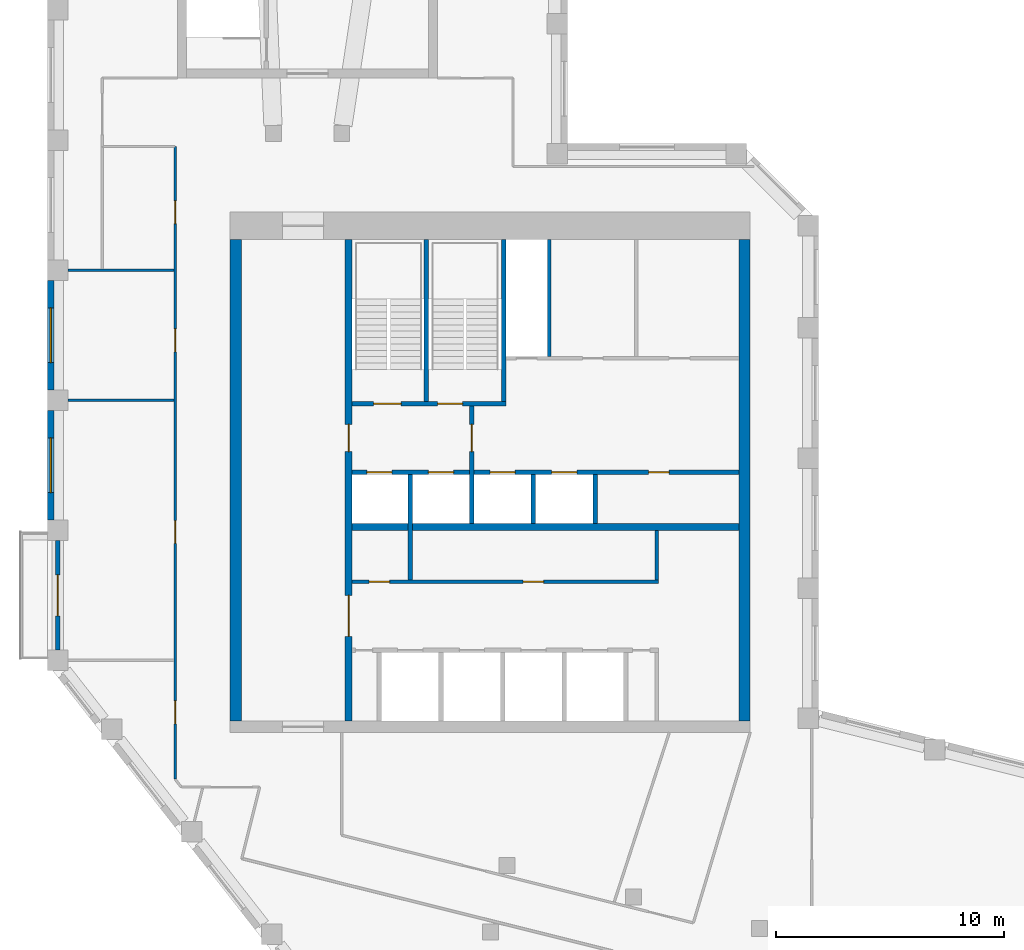
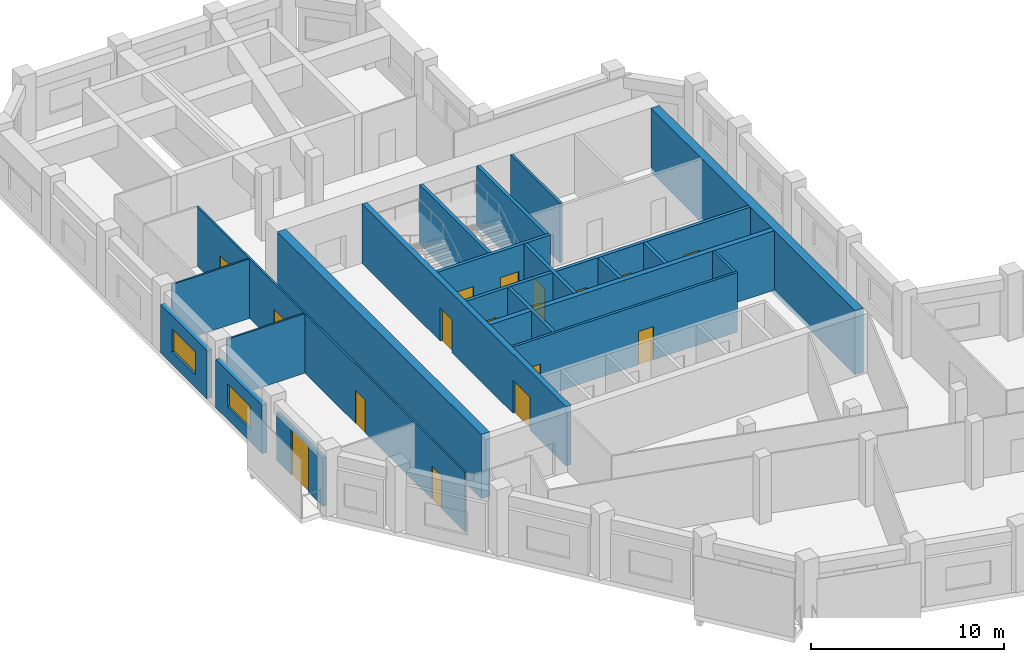
# One storey, part 5 of 8: 21 walls, 17 doors, 2 windows, 19 openings.
"""IFC4 building model written with IfcOpenShell, lengths in metres."""

from ifc_helpers import new_model, si_unit, direction, frame, frame_2d, origin, place, context, subcontext, project, spatial, rectangle, extrude, material, layer, layer_set, type_object, element, fill, save


model = new_model("IFC4")

# Units and contexts
model_context = context("Model", 3, precision=1e-05, world=origin(), true_north=direction((0.0, 1.0)))
body_context = subcontext(model_context, "Body", "Model", "MODEL_VIEW")
ifc_project = project(units=[si_unit("LENGTHUNIT", "METRE"), si_unit("AREAUNIT", "SQUARE_METRE"), si_unit("VOLUMEUNIT", "CUBIC_METRE"), si_unit("PLANEANGLEUNIT", "RADIAN"), si_unit("MASSUNIT", "GRAM", prefix="KILO")], contexts=[model_context])

# Site, building, storey
site_placement = place(None, origin())
site = spatial("IfcSite", under=ifc_project, at=site_placement, CompositionType="ELEMENT")
building_placement = place(site_placement, origin())
building = spatial("IfcBuilding", under=site, at=building_placement, Name="Meshkara Civic Tower", CompositionType="ELEMENT")
storey_placement = place(building_placement, frame((0.0, 0.0, 396.0)))
storey = spatial("IfcBuildingStorey", under=building, at=storey_placement, Name="L91", CompositionType="ELEMENT", Elevation=396.0)

# Wall, openings, doors
ifc_material_1 = material(Name="Blockwork", Category="masonry")
ifc_layer_1 = layer(ifc_material_1, 0.14990234375)
ifc_layer_set_1 = layer_set([ifc_layer_1], Name="Core partition 150")
wall_type_1 = type_object("IfcWallType", Name="Core partition 150", PredefinedType="PARTITIONING", material=ifc_layer_set_1)
wall_1_placement = place(storey_placement, frame((13.35009765625, 20.699951171875, 0.0), z_axis=(0.0, 0.0, 1.0), x_axis=(1.0, 0.0, 0.0)))
wall_1 = element("IfcWall", 1, at=wall_1_placement, inside=storey, type_object=wall_type_1, Name="L91-C006", PredefinedType="PARTITIONING", context=body_context, shape_type="SweptSolid", body=[
    extrude(rectangle(XDim=13.4248046875, YDim=0.14990234375, at=frame_2d((6.71240234375, 0.0))), origin(), (0.0, 0.0, 1.0), 3.75),
])
opening_1_placement = place(wall_1_placement, frame((0.75, 0.0, 0.0)))
opening_1 = element("IfcOpeningElement", 2, at=opening_1_placement, cuts=wall_1, Name="Opening L91-K011", PredefinedType="OPENING", context=body_context, shape_type="SweptSolid", body=[
    extrude(rectangle(XDim=0.89990234375, YDim=2.10009765625, at=frame_2d((0.449951171875, 1.050048828125))), frame((0.0, 0.0849609375, 0.0), z_axis=(0.0, -1.0, 0.0), x_axis=(1.0, 0.0, 0.0)), (0.0, 0.0, 1.0), 0.169921875),
])
opening_2_placement = place(wall_1_placement, frame((7.5, 0.0, 0.0)))
opening_2 = element("IfcOpeningElement", 3, at=opening_2_placement, cuts=wall_1, Name="Opening L91-K012", PredefinedType="OPENING", context=body_context, shape_type="SweptSolid", body=[
    extrude(rectangle(XDim=0.89990234375, YDim=2.10009765625, at=frame_2d((0.449951171875, 1.050048828125))), frame((0.0, 0.0849609375, 0.0), z_axis=(0.0, -1.0, 0.0), x_axis=(1.0, 0.0, 0.0)), (0.0, 0.0, 1.0), 0.169921875),
])
ifc_material_2 = material(Name="Timber door leaf in steel frame", Category="steel")
door_type_1 = type_object("IfcDoorType", Name="Core room door 900", OperationType="SINGLE_SWING_LEFT", PredefinedType="DOOR", material=ifc_material_2)
door_1_placement = place(opening_1_placement, origin())
door_1 = element("IfcDoor", 4, at=door_1_placement, inside=storey, type_object=door_type_1, Name="L91-K011", OperationType="SINGLE_SWING_RIGHT", OverallHeight=2.10009765625, OverallWidth=0.89990234375, PredefinedType="DOOR", context=body_context, shape_type="SweptSolid", body=[
    extrude(rectangle(XDim=0.89990234375, YDim=2.10009765625, at=frame_2d((0.449951171875, 1.050048828125))), frame((0.0, 0.02490234375, 0.0), z_axis=(0.0, -1.0, 0.0), x_axis=(1.0, 0.0, 0.0)), (0.0, 0.0, 1.0), 0.050048828125),
])
fill(opening_1, door_1)
door_2_placement = place(opening_2_placement, origin())
door_2 = element("IfcDoor", 5, at=door_2_placement, inside=storey, type_object=door_type_1, Name="L91-K012", OperationType="SINGLE_SWING_LEFT", OverallHeight=2.10009765625, OverallWidth=0.89990234375, PredefinedType="DOOR", context=body_context, shape_type="SweptSolid", body=[
    extrude(rectangle(XDim=0.89990234375, YDim=2.10009765625, at=frame_2d((0.449951171875, 1.050048828125))), frame((0.0, 0.02490234375, 0.0), z_axis=(0.0, -1.0, 0.0), x_axis=(1.0, 0.0, 0.0)), (0.0, 0.0, 1.0), 0.050048828125),
])
fill(opening_2, door_2)

# Walls
wall_2_placement = place(storey_placement, frame((22.0, 30.574951171875, 0.0), z_axis=(0.0, 0.0, 1.0), x_axis=(0.0, 1.0, 0.0)))
element("IfcWall", 6, at=wall_2_placement, inside=storey, type_object=wall_type_1, Name="L91-C020", PredefinedType="PARTITIONING", context=body_context, shape_type="SweptSolid", body=[
    extrude(rectangle(XDim=5.125, YDim=0.14990234375, at=frame_2d((2.5625, 0.0))), origin(), (0.0, 0.0, 1.0), 3.75),
])
wall_3_placement = place(storey_placement, frame((26.699951171875, 20.77490234375, 0.0), z_axis=(0.0, 0.0, 1.0), x_axis=(0.0, 1.0, 0.0)))
element("IfcWall", 7, at=wall_3_placement, inside=storey, type_object=wall_type_1, Name="L91-C026", PredefinedType="PARTITIONING", context=body_context, shape_type="SweptSolid", body=[
    extrude(rectangle(XDim=2.175048828125, YDim=0.14990234375, at=frame_2d((1.08740234375, 0.0))), origin(), (0.0, 0.0, 1.0), 3.75),
])
ifc_material_3 = material(Name="Concrete C50", Category="concrete")
ifc_layer_2 = layer(ifc_material_3, 0.5)
ifc_layer_set_2 = layer_set([ifc_layer_2], Name="Core ring wall 500 C50")
wall_type_2 = type_object("IfcWallType", Name="Core ring wall 500 C50", PredefinedType="SHEAR", material=ifc_layer_set_2)
for number, where, z_axis, x_axis, name in (
    (8, (8.25, 14.60009765625, -0.300048828125), (0.0, 0.0, 1.0), (0.0, 1.0, 0.0), "L91-C003"),
    (9, (30.550048828125, 14.60009765625, -0.300048828125), (0.0, 0.0, 1.0), (0.0, 1.0, 0.0), "L91-C004"),
):
    element("IfcWall", number, at=place(storey_placement, frame(where, z_axis=z_axis, x_axis=x_axis)), inside=storey, type_object=wall_type_2, Name=name, PredefinedType="SHEAR", context=body_context, shape_type="SweptSolid", body=[
        extrude(rectangle(XDim=21.099853515625, YDim=0.5, at=frame_2d((10.5498046875, 0.0))), origin(), (0.0, 0.0, 1.0), 4.050048828125),
    ])
ifc_material_4 = material(Name="Concrete C50", Category="concrete")
ifc_layer_3 = layer(ifc_material_4, 0.300048828125)
ifc_layer_set_3 = layer_set([ifc_layer_3], Name="Core shear wall 300 C50")
wall_type_3 = type_object("IfcWallType", Name="Core shear wall 300 C50", PredefinedType="SHEAR", material=ifc_layer_set_3)
wall_4_placement = place(storey_placement, frame((13.35009765625, 23.10009765625, 0.0), z_axis=(0.0, 0.0, 1.0), x_axis=(1.0, 0.0, 0.0)))
element("IfcWall", 10, at=wall_4_placement, inside=storey, type_object=wall_type_3, Name="L91-C007", PredefinedType="SHEAR", context=body_context, shape_type="SweptSolid", body=[
    extrude(rectangle(XDim=16.949951171875, YDim=0.300048828125, at=frame_2d((8.47509765625, 0.0))), origin(), (0.0, 0.0, 1.0), 3.75),
])

# Wall, openings, doors
wall_5_placement = place(storey_placement, frame((13.199951171875, 14.60009765625, 0.0), z_axis=(0.0, 0.0, 1.0), x_axis=(0.0, 1.0, 0.0)))
wall_5 = element("IfcWall", 11, at=wall_5_placement, inside=storey, type_object=wall_type_3, Name="L91-C011", PredefinedType="SHEAR", context=body_context, shape_type="SweptSolid", body=[
    extrude(rectangle(XDim=21.099853515625, YDim=0.300048828125, at=frame_2d((10.5498046875, 0.0))), origin(), (0.0, 0.0, 1.0), 3.75),
])
opening_3_placement = place(wall_5_placement, frame((3.699951171875, 0.0, 0.0)))
opening_3 = element("IfcOpeningElement", 12, at=opening_3_placement, cuts=wall_5, Name="Opening L91-K019", PredefinedType="OPENING", context=body_context, shape_type="SweptSolid", body=[
    extrude(rectangle(XDim=1.800048828125, YDim=2.10009765625, at=frame_2d((0.89990234375, 1.050048828125))), frame((0.0, 0.159912109375, 0.0), z_axis=(0.0, -1.0, 0.0), x_axis=(1.0, 0.0, 0.0)), (0.0, 0.0, 1.0), 0.320068359375),
])
opening_4_placement = place(wall_5_placement, frame((11.800048828125, 0.0, 0.0)))
opening_4 = element("IfcOpeningElement", 13, at=opening_4_placement, cuts=wall_5, Name="Opening L91-K020", PredefinedType="OPENING", context=body_context, shape_type="SweptSolid", body=[
    extrude(rectangle(XDim=1.199951171875, YDim=2.10009765625, at=frame_2d((0.60009765625, 1.050048828125))), frame((0.0, 0.159912109375, 0.0), z_axis=(0.0, -1.0, 0.0), x_axis=(1.0, 0.0, 0.0)), (0.0, 0.0, 1.0), 0.320068359375),
])
ifc_material_5 = material(Name="Fire-rated door leaf in steel frame", Category="steel")
door_type_2 = type_object("IfcDoorType", Name="Core double door 1800 EI 60", OperationType="DOUBLE_DOOR_SINGLE_SWING", PredefinedType="DOOR", material=ifc_material_5)
door_3_placement = place(opening_3_placement, origin())
door_3 = element("IfcDoor", 14, at=door_3_placement, inside=storey, type_object=door_type_2, Name="L91-K019", OperationType="DOUBLE_DOOR_SINGLE_SWING", OverallHeight=2.10009765625, OverallWidth=1.800048828125, PredefinedType="DOOR", context=body_context, shape_type="SweptSolid", body=[
    extrude(rectangle(XDim=1.800048828125, YDim=2.10009765625, at=frame_2d((0.89990234375, 1.050048828125))), frame((0.0, 0.02490234375, 0.0), z_axis=(0.0, -1.0, 0.0), x_axis=(1.0, 0.0, 0.0)), (0.0, 0.0, 1.0), 0.050048828125),
])
fill(opening_3, door_3)
ifc_material_6 = material(Name="Fire-rated door leaf in steel frame", Category="steel")
door_type_3 = type_object("IfcDoorType", Name="Fire-fighting lobby door 1200 EI 120", OperationType="SINGLE_SWING_LEFT", PredefinedType="DOOR", material=ifc_material_6)
door_4_placement = place(opening_4_placement, origin())
door_4 = element("IfcDoor", 15, at=door_4_placement, inside=storey, type_object=door_type_3, Name="L91-K020", OperationType="SINGLE_SWING_LEFT", OverallHeight=2.10009765625, OverallWidth=1.199951171875, PredefinedType="DOOR", context=body_context, shape_type="SweptSolid", body=[
    extrude(rectangle(XDim=1.199951171875, YDim=2.10009765625, at=frame_2d((0.60009765625, 1.050048828125))), frame((0.0, 0.02490234375, 0.0), z_axis=(0.0, -1.0, 0.0), x_axis=(1.0, 0.0, 0.0)), (0.0, 0.0, 1.0), 0.050048828125),
])
fill(opening_4, door_4)

ifc_material_7 = material(Name="Corridor wall 100")
ifc_layer_4 = layer(ifc_material_7, 0.10009765625)
ifc_layer_set_4 = layer_set([ifc_layer_4], Name="Corridor wall 100")
wall_type_4 = type_object("IfcWallType", Name="Corridor wall 100", PredefinedType="PARTITIONING", material=ifc_layer_set_4)
wall_6_placement = place(storey_placement, frame((5.60009765625, 39.77001953125, 0.0), z_axis=(0.0, 0.0, 1.0), x_axis=(0.0, -1.0, 0.0)))
wall_6 = element("IfcWall", 16, at=wall_6_placement, inside=storey, type_object=wall_type_4, Name="L91-W004", PredefinedType="PARTITIONING", context=body_context, shape_type="SweptSolid", body=[
    extrude(rectangle(XDim=27.72607421875, YDim=0.10009765625, at=frame_2d((13.863037109375, 0.0))), origin(), (0.0, 0.0, 1.0), 3.75),
])
opening_5_placement = place(wall_6_placement, frame((24.294921875, 0.0, 0.0)))
opening_5 = element("IfcOpeningElement", 17, at=opening_5_placement, cuts=wall_6, Name="Opening L91-D011", PredefinedType="OPENING", context=body_context, shape_type="SweptSolid", body=[
    extrude(rectangle(XDim=1.0, YDim=2.10009765625, at=frame_2d((0.5, 1.050048828125))), frame((0.0, 0.06005859375, 0.0), z_axis=(0.0, -1.0, 0.0), x_axis=(1.0, 0.0, 0.0)), (0.0, 0.0, 1.0), 0.1201171875),
])
opening_6_placement = place(wall_6_placement, frame((16.39501953125, 0.0, 0.0)))
opening_6 = element("IfcOpeningElement", 18, at=opening_6_placement, cuts=wall_6, Name="Opening L91-D012", PredefinedType="OPENING", context=body_context, shape_type="SweptSolid", body=[
    extrude(rectangle(XDim=1.0, YDim=2.10009765625, at=frame_2d((0.5, 1.050048828125))), frame((0.0, 0.06005859375, 0.0), z_axis=(0.0, -1.0, 0.0), x_axis=(1.0, 0.0, 0.0)), (0.0, 0.0, 1.0), 0.1201171875),
])
opening_7_placement = place(wall_6_placement, frame((7.9951171875, 0.0, 0.0)))
opening_7 = element("IfcOpeningElement", 19, at=opening_7_placement, cuts=wall_6, Name="Opening L91-D013", PredefinedType="OPENING", context=body_context, shape_type="SweptSolid", body=[
    extrude(rectangle(XDim=1.0, YDim=2.10009765625, at=frame_2d((0.5, 1.050048828125))), frame((0.0, 0.06005859375, 0.0), z_axis=(0.0, -1.0, 0.0), x_axis=(1.0, 0.0, 0.0)), (0.0, 0.0, 1.0), 0.1201171875),
])
opening_8_placement = place(wall_6_placement, frame((2.3798828125, 0.0, 0.0)))
opening_8 = element("IfcOpeningElement", 20, at=opening_8_placement, cuts=wall_6, Name="Opening L91-D015", PredefinedType="OPENING", context=body_context, shape_type="SweptSolid", body=[
    extrude(rectangle(XDim=1.0, YDim=2.10009765625, at=frame_2d((0.5, 1.050048828125))), frame((0.0, 0.06005859375, 0.0), z_axis=(0.0, -1.0, 0.0), x_axis=(1.0, 0.0, 0.0)), (0.0, 0.0, 1.0), 0.1201171875),
])
ifc_material_8 = material(Name="Door 1000 x 2100")
door_type_4 = type_object("IfcDoorType", Name="Door 1000 x 2100", OperationType="SINGLE_SWING_LEFT", PredefinedType="DOOR", material=ifc_material_8)
door_5_placement = place(opening_5_placement, origin())
door_5 = element("IfcDoor", 21, at=door_5_placement, inside=storey, type_object=door_type_4, Name="L91-D011", OperationType="SINGLE_SWING_RIGHT", OverallHeight=2.10009765625, OverallWidth=1.0, PredefinedType="DOOR", context=body_context, shape_type="SweptSolid", body=[
    extrude(rectangle(XDim=1.0, YDim=2.10009765625, at=frame_2d((0.5, 1.050048828125))), frame((0.0, 0.02490234375, 0.0), z_axis=(0.0, -1.0, 0.0), x_axis=(1.0, 0.0, 0.0)), (0.0, 0.0, 1.0), 0.050048828125),
])
fill(opening_5, door_5)
door_6_placement = place(opening_6_placement, origin())
door_6 = element("IfcDoor", 22, at=door_6_placement, inside=storey, type_object=door_type_4, Name="L91-D012", OperationType="SINGLE_SWING_LEFT", OverallHeight=2.10009765625, OverallWidth=1.0, PredefinedType="DOOR", context=body_context, shape_type="SweptSolid", body=[
    extrude(rectangle(XDim=1.0, YDim=2.10009765625, at=frame_2d((0.5, 1.050048828125))), frame((0.0, 0.02490234375, 0.0), z_axis=(0.0, -1.0, 0.0), x_axis=(1.0, 0.0, 0.0)), (0.0, 0.0, 1.0), 0.050048828125),
])
fill(opening_6, door_6)
door_7_placement = place(opening_7_placement, origin())
door_7 = element("IfcDoor", 23, at=door_7_placement, inside=storey, type_object=door_type_4, Name="L91-D013", OperationType="SINGLE_SWING_LEFT", OverallHeight=2.10009765625, OverallWidth=1.0, PredefinedType="DOOR", context=body_context, shape_type="SweptSolid", body=[
    extrude(rectangle(XDim=1.0, YDim=2.10009765625, at=frame_2d((0.5, 1.050048828125))), frame((0.0, 0.02490234375, 0.0), z_axis=(0.0, -1.0, 0.0), x_axis=(1.0, 0.0, 0.0)), (0.0, 0.0, 1.0), 0.050048828125),
])
fill(opening_7, door_7)
door_8_placement = place(opening_8_placement, origin())
door_8 = element("IfcDoor", 24, at=door_8_placement, inside=storey, type_object=door_type_4, Name="L91-D015", OperationType="SINGLE_SWING_LEFT", OverallHeight=2.10009765625, OverallWidth=1.0, PredefinedType="DOOR", context=body_context, shape_type="SweptSolid", body=[
    extrude(rectangle(XDim=1.0, YDim=2.10009765625, at=frame_2d((0.5, 1.050048828125))), frame((0.0, 0.02490234375, 0.0), z_axis=(0.0, -1.0, 0.0), x_axis=(1.0, 0.0, 0.0)), (0.0, 0.0, 1.0), 0.050048828125),
])
fill(opening_8, door_8)

# Wall, opening, window
ifc_material_9 = material(Name="Insulated infill panel with bronze anodised aluminium cladding", Category="aluminium")
ifc_layer_5 = layer(ifc_material_9, 0.300048828125)
ifc_layer_set_5 = layer_set([ifc_layer_5], Name="EXTERNAL INFILL WALL 300")
wall_type_5 = type_object("IfcWallType", Name="EXTERNAL INFILL WALL 300", PredefinedType="SOLIDWALL", material=ifc_layer_set_5)
wall_7_placement = place(storey_placement, frame((0.14990234375, 33.905029296875, 0.0), z_axis=(0.0, 0.0, 1.0), x_axis=(0.0, -1.0, 0.0)))
wall_7 = element("IfcWall", 25, at=wall_7_placement, inside=storey, type_object=wall_type_5, Name="External wall", PredefinedType="SOLIDWALL", context=body_context, shape_type="SweptSolid", body=[
    extrude(rectangle(XDim=4.800048828125, YDim=0.300048828125, at=frame_2d((2.39990234375, 0.0))), origin(), (0.0, 0.0, 1.0), 3.050048828125),
])
opening_9_placement = place(wall_7_placement, frame((1.199951171875, 0.0, 0.800048828125)))
opening_9 = element("IfcOpeningElement", 26, at=opening_9_placement, cuts=wall_7, Name="Opening W8", PredefinedType="OPENING", context=body_context, shape_type="SweptSolid", body=[
    extrude(rectangle(XDim=2.39990234375, YDim=1.449951171875, at=frame_2d((1.199951171875, 0.72509765625))), frame((0.0, 0.159912109375, 0.0), z_axis=(0.0, -1.0, 0.0), x_axis=(1.0, 0.0, 0.0)), (0.0, 0.0, 1.0), 0.320068359375),
])
ifc_material_10 = material(Name="Tinted double glazing", Category="glass")
window_type = type_object("IfcWindowType", Name="WINDOW 2400x1450", PartitioningType="DOUBLE_PANEL_VERTICAL", PredefinedType="WINDOW", material=ifc_material_10)
window_1_placement = place(opening_9_placement, origin())
window_1 = element("IfcWindow", 27, at=window_1_placement, inside=storey, type_object=window_type, Name="Window", OverallHeight=1.449951171875, OverallWidth=2.39990234375, PartitioningType="DOUBLE_PANEL_VERTICAL", PredefinedType="WINDOW", context=body_context, shape_type="SweptSolid", body=[
    extrude(rectangle(XDim=2.39990234375, YDim=1.449951171875, at=frame_2d((1.199951171875, 0.72509765625))), frame((0.0, 0.030029296875, 0.0), z_axis=(0.0, -1.0, 0.0), x_axis=(1.0, 0.0, 0.0)), (0.0, 0.0, 1.0), 0.06005859375),
])
fill(opening_9, window_1)

wall_8_placement = place(storey_placement, frame((0.14990234375, 28.205078125, 0.0), z_axis=(0.0, 0.0, 1.0), x_axis=(0.0, -1.0, 0.0)))
wall_8 = element("IfcWall", 28, at=wall_8_placement, inside=storey, type_object=wall_type_5, Name="External wall", PredefinedType="SOLIDWALL", context=body_context, shape_type="SweptSolid", body=[
    extrude(rectangle(XDim=4.800048828125, YDim=0.300048828125, at=frame_2d((2.39990234375, 0.0))), origin(), (0.0, 0.0, 1.0), 3.050048828125),
])
opening_10_placement = place(wall_8_placement, frame((1.199951171875, 0.0, 0.800048828125)))
opening_10 = element("IfcOpeningElement", 29, at=opening_10_placement, cuts=wall_8, Name="Opening W8", PredefinedType="OPENING", context=body_context, shape_type="SweptSolid", body=[
    extrude(rectangle(XDim=2.39990234375, YDim=1.449951171875, at=frame_2d((1.199951171875, 0.72509765625))), frame((0.0, 0.159912109375, 0.0), z_axis=(0.0, -1.0, 0.0), x_axis=(1.0, 0.0, 0.0)), (0.0, 0.0, 1.0), 0.320068359375),
])
window_2_placement = place(opening_10_placement, origin())
window_2 = element("IfcWindow", 30, at=window_2_placement, inside=storey, type_object=window_type, Name="Window", OverallHeight=1.449951171875, OverallWidth=2.39990234375, PartitioningType="DOUBLE_PANEL_VERTICAL", PredefinedType="WINDOW", context=body_context, shape_type="SweptSolid", body=[
    extrude(rectangle(XDim=2.39990234375, YDim=1.449951171875, at=frame_2d((1.199951171875, 0.72509765625))), frame((0.0, 0.030029296875, 0.0), z_axis=(0.0, -1.0, 0.0), x_axis=(1.0, 0.0, 0.0)), (0.0, 0.0, 1.0), 0.06005859375),
])
fill(opening_10, window_2)

# Wall, opening, door
ifc_material_11 = material(Name="Insulated infill panel with bronze anodised aluminium cladding", Category="aluminium")
ifc_layer_6 = layer(ifc_material_11, 0.199951171875)
ifc_layer_set_6 = layer_set([ifc_layer_6], Name="LOGGIA BACK WALL 200")
wall_type_6 = type_object("IfcWallType", Name="LOGGIA BACK WALL 200", PredefinedType="SOLIDWALL", material=ifc_layer_set_6)
wall_9_placement = place(storey_placement, frame((0.449951171875, 22.5048828125, 0.0), z_axis=(0.0, 0.0, 1.0), x_axis=(0.0, -1.0, 0.0)))
wall_9 = element("IfcWall", 31, at=wall_9_placement, inside=storey, type_object=wall_type_6, Name="Loggia wall", PredefinedType="SOLIDWALL", context=body_context, shape_type="SweptSolid", body=[
    extrude(rectangle(XDim=4.798828125, YDim=0.199951171875, at=frame_2d((2.3994140625, 0.0))), origin(), (0.0, 0.0, 1.0), 3.050048828125),
])
opening_11_placement = place(wall_9_placement, frame((1.5, 0.0, 0.0)))
opening_11 = element("IfcOpeningElement", 32, at=opening_11_placement, cuts=wall_9, Name="Opening L91-L001", PredefinedType="OPENING", context=body_context, shape_type="SweptSolid", body=[
    extrude(rectangle(XDim=1.800048828125, YDim=2.89990234375, at=frame_2d((0.89990234375, 1.449951171875))), frame((0.0, 0.10986328125, 0.0), z_axis=(0.0, -1.0, 0.0), x_axis=(1.0, 0.0, 0.0)), (0.0, 0.0, 1.0), 0.219970703125),
])
ifc_material_12 = material(Name="Tinted double glazing", Category="glass")
door_type_5 = type_object("IfcDoorType", Name="LOGGIA DOOR 1800x2900", OperationType="DOUBLE_DOOR_SINGLE_SWING", PredefinedType="DOOR", material=ifc_material_12)
door_9_placement = place(opening_11_placement, origin())
door_9 = element("IfcDoor", 33, at=door_9_placement, inside=storey, type_object=door_type_5, Name="L91-L001", OperationType="DOUBLE_DOOR_SINGLE_SWING", OverallHeight=2.89990234375, OverallWidth=1.800048828125, PredefinedType="DOOR", context=body_context, shape_type="SweptSolid", body=[
    extrude(rectangle(XDim=1.800048828125, YDim=2.89990234375, at=frame_2d((0.89990234375, 1.449951171875))), frame((0.0, 0.02490234375, 0.0), z_axis=(0.0, -1.0, 0.0), x_axis=(1.0, 0.0, 0.0)), (0.0, 0.0, 1.0), 0.050048828125),
])
fill(opening_11, door_9)

# Walls
ifc_material_13 = material(Name="Partition 100")
ifc_layer_7 = layer(ifc_material_13, 0.10009765625)
ifc_layer_set_7 = layer_set([ifc_layer_7], Name="Partition 100")
wall_type_7 = type_object("IfcWallType", Name="Partition 100", PredefinedType="PARTITIONING", material=ifc_layer_set_7)
for number, where, z_axis, x_axis, name in (
    (34, (0.89990234375, 34.35498046875, 0.0), (0.0, 0.0, 1.0), (1.0, 0.0, 0.0), "L91-W023"),
    (35, (5.550048828125, 28.655029296875, 0.0), (0.0, 0.0, 1.0), (-1.0, 0.0, 0.0), "L91-W026"),
):
    element("IfcWall", number, at=place(storey_placement, frame(where, z_axis=z_axis, x_axis=x_axis)), inside=storey, type_object=wall_type_7, Name=name, PredefinedType="PARTITIONING", context=body_context, shape_type="SweptSolid", body=[
        extrude(rectangle(XDim=4.650146484375, YDim=0.10009765625, at=frame_2d((2.3251953125, 0.0))), origin(), (0.0, 0.0, 1.0), 3.75),
    ])

# Wall, openings, doors
ifc_material_14 = material(Name="Concrete C40/50", Category="concrete")
ifc_layer_8 = layer(ifc_material_14, 0.199951171875)
ifc_layer_set_8 = layer_set([ifc_layer_8], Name="Shaft wall 200 C40/50")
wall_type_8 = type_object("IfcWallType", Name="Shaft wall 200 C40/50", PredefinedType="SOLIDWALL", material=ifc_layer_set_8)
wall_10_placement = place(storey_placement, frame((13.35009765625, 25.5, 0.0), z_axis=(0.0, 0.0, 1.0), x_axis=(1.0, 0.0, 0.0)))
wall_10 = element("IfcWall", 36, at=wall_10_placement, inside=storey, type_object=wall_type_8, Name="L91-C008", PredefinedType="SOLIDWALL", context=body_context, shape_type="SweptSolid", body=[
    extrude(rectangle(XDim=16.949951171875, YDim=0.199951171875, at=frame_2d((8.47509765625, 0.0))), origin(), (0.0, 0.0, 1.0), 3.75),
])
opening_12_placement = place(wall_10_placement, frame((0.64990234375, 0.0, 0.0)))
opening_12 = element("IfcOpeningElement", 37, at=opening_12_placement, cuts=wall_10, Name="Opening L91-K005", PredefinedType="OPENING", context=body_context, shape_type="SweptSolid", body=[
    extrude(rectangle(XDim=1.10009765625, YDim=2.10009765625, at=frame_2d((0.550048828125, 1.050048828125))), frame((0.0, 0.10986328125, 0.0), z_axis=(0.0, -1.0, 0.0), x_axis=(1.0, 0.0, 0.0)), (0.0, 0.0, 1.0), 0.219970703125),
])
opening_13_placement = place(wall_10_placement, frame((3.35009765625, 0.0, 0.0)))
opening_13 = element("IfcOpeningElement", 38, at=opening_13_placement, cuts=wall_10, Name="Opening L91-K006", PredefinedType="OPENING", context=body_context, shape_type="SweptSolid", body=[
    extrude(rectangle(XDim=1.10009765625, YDim=2.10009765625, at=frame_2d((0.550048828125, 1.050048828125))), frame((0.0, 0.10986328125, 0.0), z_axis=(0.0, -1.0, 0.0), x_axis=(1.0, 0.0, 0.0)), (0.0, 0.0, 1.0), 0.219970703125),
])
opening_14_placement = place(wall_10_placement, frame((6.050048828125, 0.0, 0.0)))
opening_14 = element("IfcOpeningElement", 39, at=opening_14_placement, cuts=wall_10, Name="Opening L91-K007", PredefinedType="OPENING", context=body_context, shape_type="SweptSolid", body=[
    extrude(rectangle(XDim=1.10009765625, YDim=2.10009765625, at=frame_2d((0.550048828125, 1.050048828125))), frame((0.0, 0.10986328125, 0.0), z_axis=(0.0, -1.0, 0.0), x_axis=(1.0, 0.0, 0.0)), (0.0, 0.0, 1.0), 0.219970703125),
])
opening_15_placement = place(wall_10_placement, frame((8.75, 0.0, 0.0)))
opening_15 = element("IfcOpeningElement", 40, at=opening_15_placement, cuts=wall_10, Name="Opening L91-K008", PredefinedType="OPENING", context=body_context, shape_type="SweptSolid", body=[
    extrude(rectangle(XDim=1.10009765625, YDim=2.10009765625, at=frame_2d((0.550048828125, 1.050048828125))), frame((0.0, 0.10986328125, 0.0), z_axis=(0.0, -1.0, 0.0), x_axis=(1.0, 0.0, 0.0)), (0.0, 0.0, 1.0), 0.219970703125),
])
opening_16_placement = place(wall_10_placement, frame((13.0, 0.0, 0.0)))
opening_16 = element("IfcOpeningElement", 41, at=opening_16_placement, cuts=wall_10, Name="Opening L91-K013", PredefinedType="OPENING", context=body_context, shape_type="SweptSolid", body=[
    extrude(rectangle(XDim=0.89990234375, YDim=2.10009765625, at=frame_2d((0.449951171875, 1.050048828125))), frame((0.0, 0.10986328125, 0.0), z_axis=(0.0, -1.0, 0.0), x_axis=(1.0, 0.0, 0.0)), (0.0, 0.0, 1.0), 0.219970703125),
])
door_10_placement = place(opening_16_placement, origin())
door_10 = element("IfcDoor", 42, at=door_10_placement, inside=storey, type_object=door_type_1, Name="L91-K013", OperationType="SINGLE_SWING_LEFT", OverallHeight=2.10009765625, OverallWidth=0.89990234375, PredefinedType="DOOR", context=body_context, shape_type="SweptSolid", body=[
    extrude(rectangle(XDim=0.89990234375, YDim=2.10009765625, at=frame_2d((0.449951171875, 1.050048828125))), frame((0.0, 0.02490234375, 0.0), z_axis=(0.0, -1.0, 0.0), x_axis=(1.0, 0.0, 0.0)), (0.0, 0.0, 1.0), 0.050048828125),
])
fill(opening_16, door_10)
ifc_material_15 = material(Name="Stainless steel landing door", Category="steel")
door_type_6 = type_object("IfcDoorType", Name="Lift landing door 1100", OperationType="SLIDING_TO_LEFT", PredefinedType="DOOR", material=ifc_material_15)
door_11_placement = place(opening_12_placement, origin())
door_11 = element("IfcDoor", 43, at=door_11_placement, inside=storey, type_object=door_type_6, Name="L91-K005", OperationType="SLIDING_TO_LEFT", OverallHeight=2.10009765625, OverallWidth=1.10009765625, PredefinedType="DOOR", context=body_context, shape_type="SweptSolid", body=[
    extrude(rectangle(XDim=1.10009765625, YDim=2.10009765625, at=frame_2d((0.550048828125, 1.050048828125))), frame((0.0, 0.02490234375, 0.0), z_axis=(0.0, -1.0, 0.0), x_axis=(1.0, 0.0, 0.0)), (0.0, 0.0, 1.0), 0.050048828125),
])
fill(opening_12, door_11)
door_12_placement = place(opening_13_placement, origin())
door_12 = element("IfcDoor", 44, at=door_12_placement, inside=storey, type_object=door_type_6, Name="L91-K006", OperationType="SLIDING_TO_LEFT", OverallHeight=2.10009765625, OverallWidth=1.10009765625, PredefinedType="DOOR", context=body_context, shape_type="SweptSolid", body=[
    extrude(rectangle(XDim=1.10009765625, YDim=2.10009765625, at=frame_2d((0.550048828125, 1.050048828125))), frame((0.0, 0.02490234375, 0.0), z_axis=(0.0, -1.0, 0.0), x_axis=(1.0, 0.0, 0.0)), (0.0, 0.0, 1.0), 0.050048828125),
])
fill(opening_13, door_12)
door_13_placement = place(opening_14_placement, origin())
door_13 = element("IfcDoor", 45, at=door_13_placement, inside=storey, type_object=door_type_6, Name="L91-K007", OperationType="SLIDING_TO_LEFT", OverallHeight=2.10009765625, OverallWidth=1.10009765625, PredefinedType="DOOR", context=body_context, shape_type="SweptSolid", body=[
    extrude(rectangle(XDim=1.10009765625, YDim=2.10009765625, at=frame_2d((0.550048828125, 1.050048828125))), frame((0.0, 0.02490234375, 0.0), z_axis=(0.0, -1.0, 0.0), x_axis=(1.0, 0.0, 0.0)), (0.0, 0.0, 1.0), 0.050048828125),
])
fill(opening_14, door_13)
door_14_placement = place(opening_15_placement, origin())
door_14 = element("IfcDoor", 46, at=door_14_placement, inside=storey, type_object=door_type_6, Name="L91-K008", OperationType="SLIDING_TO_LEFT", OverallHeight=2.10009765625, OverallWidth=1.10009765625, PredefinedType="DOOR", context=body_context, shape_type="SweptSolid", body=[
    extrude(rectangle(XDim=1.10009765625, YDim=2.10009765625, at=frame_2d((0.550048828125, 1.050048828125))), frame((0.0, 0.02490234375, 0.0), z_axis=(0.0, -1.0, 0.0), x_axis=(1.0, 0.0, 0.0)), (0.0, 0.0, 1.0), 0.050048828125),
])
fill(opening_15, door_14)

# Wall
wall_11_placement = place(storey_placement, frame((15.89990234375, 20.77490234375, 0.0), z_axis=(0.0, 0.0, 1.0), x_axis=(0.0, 1.0, 0.0)))
element("IfcWall", 47, at=wall_11_placement, inside=storey, type_object=wall_type_8, Name="L91-C013", PredefinedType="SOLIDWALL", context=body_context, shape_type="SweptSolid", body=[
    extrude(rectangle(XDim=4.625, YDim=0.199951171875, at=frame_2d((2.3125, 0.0))), origin(), (0.0, 0.0, 1.0), 3.75),
])

# Wall, opening, door
wall_12_placement = place(storey_placement, frame((18.60009765625, 23.25, 0.0), z_axis=(0.0, 0.0, 1.0), x_axis=(0.0, 1.0, 0.0)))
wall_12 = element("IfcWall", 48, at=wall_12_placement, inside=storey, type_object=wall_type_8, Name="L91-C016", PredefinedType="SOLIDWALL", context=body_context, shape_type="SweptSolid", body=[
    extrude(rectangle(XDim=5.14990234375, YDim=0.199951171875, at=frame_2d((2.574951171875, 0.0))), origin(), (0.0, 0.0, 1.0), 3.75),
])
opening_17_placement = place(wall_12_placement, frame((3.14990234375, 0.0, 0.0)))
opening_17 = element("IfcOpeningElement", 49, at=opening_17_placement, cuts=wall_12, Name="Opening L91-K021", PredefinedType="OPENING", context=body_context, shape_type="SweptSolid", body=[
    extrude(rectangle(XDim=1.199951171875, YDim=2.10009765625, at=frame_2d((0.60009765625, 1.050048828125))), frame((0.0, 0.10986328125, 0.0), z_axis=(0.0, -1.0, 0.0), x_axis=(1.0, 0.0, 0.0)), (0.0, 0.0, 1.0), 0.219970703125),
])
door_15_placement = place(opening_17_placement, origin())
door_15 = element("IfcDoor", 50, at=door_15_placement, inside=storey, type_object=door_type_3, Name="L91-K021", OperationType="SINGLE_SWING_RIGHT", OverallHeight=2.10009765625, OverallWidth=1.199951171875, PredefinedType="DOOR", context=body_context, shape_type="SweptSolid", body=[
    extrude(rectangle(XDim=1.199951171875, YDim=2.10009765625, at=frame_2d((0.60009765625, 1.050048828125))), frame((0.0, 0.02490234375, 0.0), z_axis=(0.0, -1.0, 0.0), x_axis=(1.0, 0.0, 0.0)), (0.0, 0.0, 1.0), 0.050048828125),
])
fill(opening_17, door_15)

# Walls
for number, where, z_axis, x_axis, name in (
    (51, (21.300048828125, 23.25, 0.0), (0.0, 0.0, 1.0), (0.0, 1.0, 0.0), "L91-C019"),
    (52, (24.0, 23.25, 0.0), (0.0, 0.0, 1.0), (0.0, 1.0, 0.0), "L91-C022"),
):
    element("IfcWall", number, at=place(storey_placement, frame(where, z_axis=z_axis, x_axis=x_axis)), inside=storey, type_object=wall_type_8, Name=name, PredefinedType="SOLIDWALL", context=body_context, shape_type="SweptSolid", body=[
        extrude(rectangle(XDim=2.14990234375, YDim=0.199951171875, at=frame_2d((1.074951171875, 0.0))), origin(), (0.0, 0.0, 1.0), 3.75),
    ])

# Wall, openings, doors
ifc_material_16 = material(Name="Concrete C40/50", Category="concrete")
ifc_layer_9 = layer(ifc_material_16, 0.199951171875)
ifc_layer_set_9 = layer_set([ifc_layer_9], Name="Stair enclosure wall 200 C40/50")
wall_type_9 = type_object("IfcWallType", Name="Stair enclosure wall 200 C40/50", PredefinedType="SOLIDWALL", material=ifc_layer_set_9)
wall_13_placement = place(storey_placement, frame((13.35009765625, 28.5, 0.0), z_axis=(0.0, 0.0, 1.0), x_axis=(1.0, 0.0, 0.0)))
wall_13 = element("IfcWall", 53, at=wall_13_placement, inside=storey, type_object=wall_type_9, Name="L91-C009", PredefinedType="SOLIDWALL", context=body_context, shape_type="SweptSolid", body=[
    extrude(rectangle(XDim=6.75, YDim=0.199951171875, at=frame_2d((3.375, 0.0))), origin(), (0.0, 0.0, 1.0), 3.75),
])
opening_18_placement = place(wall_13_placement, frame((0.949951171875, 0.0, 0.0)))
opening_18 = element("IfcOpeningElement", 54, at=opening_18_placement, cuts=wall_13, Name="Opening L91-K017", PredefinedType="OPENING", context=body_context, shape_type="SweptSolid", body=[
    extrude(rectangle(XDim=1.199951171875, YDim=2.10009765625, at=frame_2d((0.60009765625, 1.050048828125))), frame((0.0, 0.10986328125, 0.0), z_axis=(0.0, -1.0, 0.0), x_axis=(1.0, 0.0, 0.0)), (0.0, 0.0, 1.0), 0.219970703125),
])
opening_19_placement = place(wall_13_placement, frame((3.75, 0.0, 0.0)))
opening_19 = element("IfcOpeningElement", 55, at=opening_19_placement, cuts=wall_13, Name="Opening L91-K018", PredefinedType="OPENING", context=body_context, shape_type="SweptSolid", body=[
    extrude(rectangle(XDim=1.10009765625, YDim=2.10009765625, at=frame_2d((0.550048828125, 1.050048828125))), frame((0.0, 0.10986328125, 0.0), z_axis=(0.0, -1.0, 0.0), x_axis=(1.0, 0.0, 0.0)), (0.0, 0.0, 1.0), 0.219970703125),
])
ifc_material_17 = material(Name="Fire-rated door leaf in steel frame", Category="steel")
door_type_7 = type_object("IfcDoorType", Name="Stair door 1100 EI 120", OperationType="SINGLE_SWING_LEFT", PredefinedType="DOOR", material=ifc_material_17)
door_16_placement = place(opening_19_placement, origin())
door_16 = element("IfcDoor", 56, at=door_16_placement, inside=storey, type_object=door_type_7, Name="L91-K018", OperationType="SINGLE_SWING_LEFT", OverallHeight=2.10009765625, OverallWidth=1.10009765625, PredefinedType="DOOR", context=body_context, shape_type="SweptSolid", body=[
    extrude(rectangle(XDim=1.10009765625, YDim=2.10009765625, at=frame_2d((0.550048828125, 1.050048828125))), frame((0.0, 0.02490234375, 0.0), z_axis=(0.0, -1.0, 0.0), x_axis=(1.0, 0.0, 0.0)), (0.0, 0.0, 1.0), 0.050048828125),
])
fill(opening_19, door_16)
ifc_material_18 = material(Name="Fire-rated door leaf in steel frame", Category="steel")
door_type_8 = type_object("IfcDoorType", Name="Stair door 1200 EI 120", OperationType="SINGLE_SWING_LEFT", PredefinedType="DOOR", material=ifc_material_18)
door_17_placement = place(opening_18_placement, origin())
door_17 = element("IfcDoor", 57, at=door_17_placement, inside=storey, type_object=door_type_8, Name="L91-K017", OperationType="SINGLE_SWING_RIGHT", OverallHeight=2.10009765625, OverallWidth=1.199951171875, PredefinedType="DOOR", context=body_context, shape_type="SweptSolid", body=[
    extrude(rectangle(XDim=1.199951171875, YDim=2.10009765625, at=frame_2d((0.60009765625, 1.050048828125))), frame((0.0, 0.02490234375, 0.0), z_axis=(0.0, -1.0, 0.0), x_axis=(1.0, 0.0, 0.0)), (0.0, 0.0, 1.0), 0.050048828125),
])
fill(opening_18, door_17)

# Walls
for number, where, z_axis, x_axis, name in (
    (58, (16.60009765625, 28.60009765625, 0.0), (0.0, 0.0, 1.0), (0.0, 1.0, 0.0), "L91-C014"),
    (59, (20.0, 28.60009765625, 0.0), (0.0, 0.0, 1.0), (0.0, 1.0, 0.0), "L91-C018"),
):
    element("IfcWall", number, at=place(storey_placement, frame(where, z_axis=z_axis, x_axis=x_axis)), inside=storey, type_object=wall_type_9, Name=name, PredefinedType="SOLIDWALL", context=body_context, shape_type="SweptSolid", body=[
        extrude(rectangle(XDim=7.099853515625, YDim=0.199951171875, at=frame_2d((3.5498046875, 0.0))), origin(), (0.0, 0.0, 1.0), 3.75),
    ])

save(model, "model.ifc")
